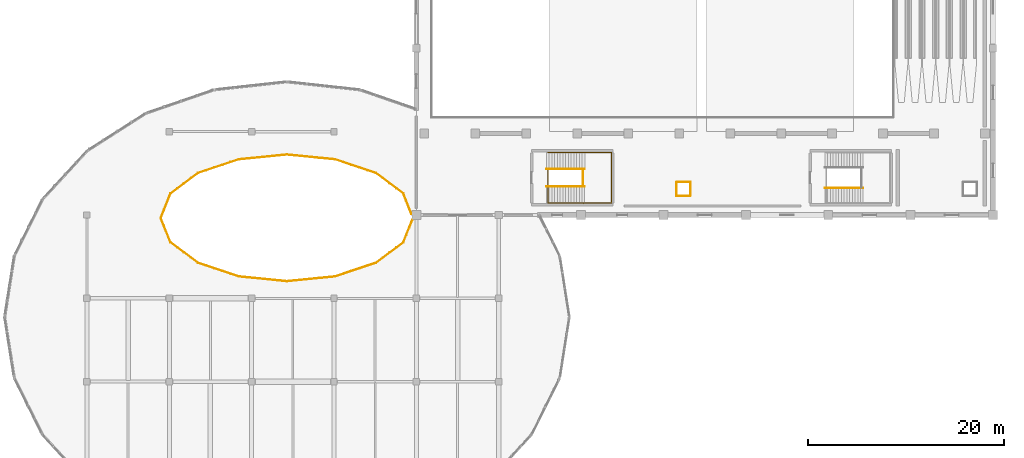
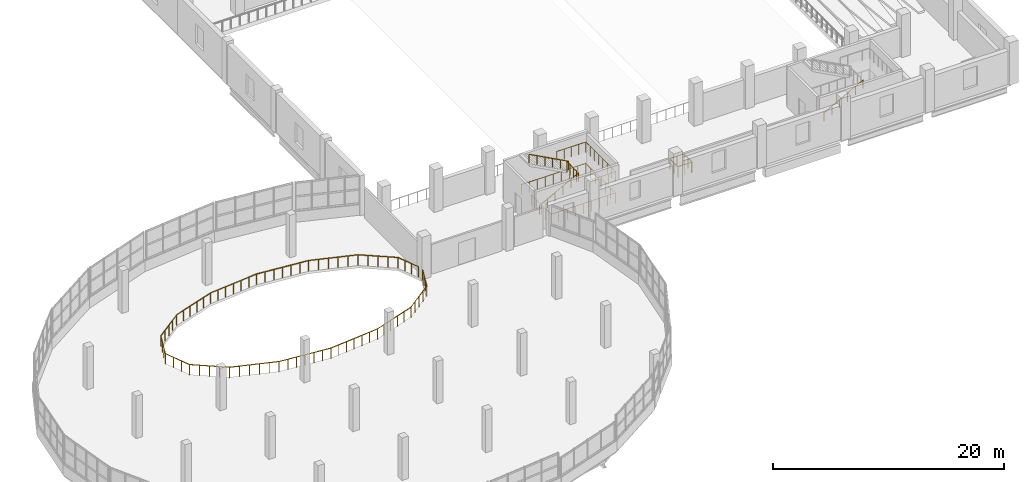
# One storey, part 45 of 50: 10 railings.
"""IFC4 building model written with IfcOpenShell, lengths in metres."""

from ifc_helpers import new_model, si_unit, direction, frame, origin, origin_2d, place, context, subcontext, project, spatial, circle, extrude, material, type_object, element, save


model = new_model("IFC4")

# Units and contexts
model_context = context("Model", 3, precision=1e-05, world=origin(), true_north=direction((0.0, 1.0)))
body_context = subcontext(model_context, "Body", "Model", "MODEL_VIEW")
ifc_project = project(units=[si_unit("LENGTHUNIT", "METRE"), si_unit("AREAUNIT", "SQUARE_METRE"), si_unit("VOLUMEUNIT", "CUBIC_METRE"), si_unit("PLANEANGLEUNIT", "RADIAN"), si_unit("MASSUNIT", "GRAM", prefix="KILO")], contexts=[model_context])

# Site, building, storey
site_placement = place(None, origin())
site = spatial("IfcSite", under=ifc_project, at=site_placement, CompositionType="ELEMENT")
building_placement = place(site_placement, origin())
building = spatial("IfcBuilding", under=site, at=building_placement, Name="Solvento Point Concert Hall", CompositionType="ELEMENT")
storey_placement = place(building_placement, frame((0.0, 0.0, 15.0)))
storey = spatial("IfcBuildingStorey", under=building, at=storey_placement, Name="L03", CompositionType="ELEMENT", Elevation=15.0)

# Railings
ifc_material_1 = material(Name="Brushed Stainless Steel Balustrade", Category="steel")
railing_type_1 = type_object("IfcRailingType", Name="StairHandrail_915", PredefinedType="HANDRAIL", material=ifc_material_1)
railing_1_placement = place(storey_placement, frame((87.64990234375, 45.409912109375, 0.14990234375)))
element("IfcRailing", 1, at=railing_1_placement, inside=storey, type_object=railing_type_1, Name="Stair handrail HR-01 ST-06 L03 F1", PredefinedType="HANDRAIL", context=body_context, shape_type="SweptSolid", body=[
    extrude(circle(Radius=0.0224609375, at=origin_2d()), frame((0.0, 0.0, 0.892578125), z_axis=(0.881479153919, 0.0, 0.472222935917), x_axis=(0.0, 1.0, 0.0)), (0.0, 0.0, 1.0), 4.447265625),
    extrude(circle(Radius=0.01904296875, at=origin_2d()), origin(), (0.0, 0.0, 1.0), 0.8701171875),
    extrude(circle(Radius=0.01904296875, at=origin_2d()), frame((0.783935546875, 0.0, 0.419921875)), (0.0, 0.0, 1.0), 0.8701171875),
    extrude(circle(Radius=0.01904296875, at=origin_2d()), frame((1.568115234375, 0.0, 0.840087890625)), (0.0, 0.0, 1.0), 0.8701171875),
    extrude(circle(Radius=0.01904296875, at=origin_2d()), frame((2.35205078125, 0.0, 1.260009765625)), (0.0, 0.0, 1.0), 0.8701171875),
    extrude(circle(Radius=0.01904296875, at=origin_2d()), frame((3.13623046875, 0.0, 1.68017578125)), (0.0, 0.0, 1.0), 0.8701171875),
    extrude(circle(Radius=0.01904296875, at=origin_2d()), frame((3.920166015625, 0.0, 2.10009765625)), (0.0, 0.0, 1.0), 0.8701171875),
])
railing_2_placement = place(storey_placement, frame((91.570068359375, 47.18994140625, 2.39990234375)))
element("IfcRailing", 2, at=railing_2_placement, inside=storey, type_object=railing_type_1, Name="Stair handrail HR-01 ST-06 L03 F2", PredefinedType="HANDRAIL", context=body_context, shape_type="SweptSolid", body=[
    extrude(circle(Radius=0.0224609375, at=origin_2d()), frame((0.0, 0.0, 0.892578125), z_axis=(-0.881479153919, 0.0, 0.472222935917), x_axis=(0.0, -1.0, 0.0)), (0.0, 0.0, 1.0), 4.447265625),
    extrude(circle(Radius=0.01904296875, at=origin_2d()), origin(), (0.0, 0.0, 1.0), 0.8701171875),
    extrude(circle(Radius=0.01904296875, at=origin_2d()), frame((-0.783935546875, 0.0, 0.419921875)), (0.0, 0.0, 1.0), 0.8701171875),
    extrude(circle(Radius=0.01904296875, at=origin_2d()), frame((-1.568115234375, 0.0, 0.840087890625)), (0.0, 0.0, 1.0), 0.8701171875),
    extrude(circle(Radius=0.01904296875, at=origin_2d()), frame((-2.35205078125, 0.0, 1.260009765625)), (0.0, 0.0, 1.0), 0.8701171875),
    extrude(circle(Radius=0.01904296875, at=origin_2d()), frame((-3.13623046875, 0.0, 1.68017578125)), (0.0, 0.0, 1.0), 0.8701171875),
    extrude(circle(Radius=0.01904296875, at=origin_2d()), frame((-3.920166015625, 0.0, 2.10009765625)), (0.0, 0.0, 1.0), 0.8701171875),
])
railing_3_placement = place(storey_placement, frame((116.050048828125, 45.25, 0.14990234375)))
element("IfcRailing", 3, at=railing_3_placement, inside=storey, type_object=railing_type_1, Name="Stair handrail HR-01 ST-07 L03 F1", PredefinedType="HANDRAIL", context=body_context, shape_type="SweptSolid", body=[
    extrude(circle(Radius=0.0224609375, at=origin_2d()), frame((0.0, 0.0, 0.892578125), z_axis=(0.881466911329, 0.0, 0.472245787945), x_axis=(0.0, 1.0, 0.0)), (0.0, 0.0, 1.0), 4.447021484375),
    extrude(circle(Radius=0.01904296875, at=origin_2d()), origin(), (0.0, 0.0, 1.0), 0.8701171875),
    extrude(circle(Radius=0.01904296875, at=origin_2d()), frame((0.783935546875, 0.0, 0.419921875)), (0.0, 0.0, 1.0), 0.8701171875),
    extrude(circle(Radius=0.01904296875, at=origin_2d()), frame((1.56787109375, 0.0, 0.840087890625)), (0.0, 0.0, 1.0), 0.8701171875),
    extrude(circle(Radius=0.01904296875, at=origin_2d()), frame((2.35205078125, 0.0, 1.260009765625)), (0.0, 0.0, 1.0), 0.8701171875),
    extrude(circle(Radius=0.01904296875, at=origin_2d()), frame((3.135986328125, 0.0, 1.68017578125)), (0.0, 0.0, 1.0), 0.8701171875),
    extrude(circle(Radius=0.01904296875, at=origin_2d()), frame((3.919921875, 0.0, 2.10009765625)), (0.0, 0.0, 1.0), 0.8701171875),
])
ifc_material_2 = material(Name="Brushed Stainless Steel Balustrade", Category="steel")
railing_type_2 = type_object("IfcRailingType", Name="StairWellGuard_1100", PredefinedType="BALUSTRADE", material=ifc_material_2)
railing_4_placement = place(storey_placement, frame((87.820068359375, 47.139892578125, 0.0)))
element("IfcRailing", 4, at=railing_4_placement, inside=storey, type_object=railing_type_2, Name="Stairwell guard GR-02 ST-06 L03", PredefinedType="BALUSTRADE", context=body_context, shape_type="SweptSolid", body=[
    extrude(circle(Radius=0.02392578125, at=origin_2d()), frame((0.0, 0.0, 1.09619140625), z_axis=(0.0, -1.0, 0.0), x_axis=(1.0, 0.0, 0.0)), (0.0, 0.0, 1.0), 3.419921875),
    extrude(circle(Radius=0.02392578125, at=origin_2d()), frame((0.0, -3.419921875, 1.09619140625), z_axis=(1.0, 0.0, 0.0), x_axis=(0.0, 1.0, 0.0)), (0.0, 0.0, 1.0), 6.4599609375),
    extrude(circle(Radius=0.02392578125, at=origin_2d()), frame((6.4599609375, -3.419921875, 1.09619140625), z_axis=(0.0, 1.0, 0.0), x_axis=(-1.0, 0.0, 0.0)), (0.0, 0.0, 1.0), 5.159912109375),
    extrude(circle(Radius=0.02392578125, at=origin_2d()), frame((6.4599609375, 1.739990234375, 1.09619140625), z_axis=(-1.0, 0.0, 0.0), x_axis=(0.0, -1.0, 0.0)), (0.0, 0.0, 1.0), 6.4599609375),
    extrude(circle(Radius=0.02392578125, at=origin_2d()), frame((0.0, 1.739990234375, 1.09619140625), z_axis=(0.0, 1.0, 0.0), x_axis=(-1.0, 0.0, 0.0)), (0.0, 0.0, 1.0), 0.02001953125),
    extrude(circle(Radius=0.02099609375, at=origin_2d()), origin(), (0.0, 0.0, 1.0), 1.072021484375),
    extrude(circle(Radius=0.02099609375, at=origin_2d()), frame((0.0, -0.85498046875, 0.0)), (0.0, 0.0, 1.0), 1.072021484375),
    extrude(circle(Radius=0.02099609375, at=origin_2d()), frame((0.0, -1.7099609375, 0.0)), (0.0, 0.0, 1.0), 1.072021484375),
    extrude(circle(Radius=0.02099609375, at=origin_2d()), frame((0.0, -2.56494140625, 0.0)), (0.0, 0.0, 1.0), 1.072021484375),
    extrude(circle(Radius=0.02099609375, at=origin_2d()), frame((0.0, -3.419921875, 0.0)), (0.0, 0.0, 1.0), 1.072021484375),
    extrude(circle(Radius=0.02099609375, at=origin_2d()), frame((0.8076171875, -3.419921875, 0.0)), (0.0, 0.0, 1.0), 1.072021484375),
    extrude(circle(Radius=0.02099609375, at=origin_2d()), frame((1.614990234375, -3.419921875, 0.0)), (0.0, 0.0, 1.0), 1.072021484375),
    extrude(circle(Radius=0.02099609375, at=origin_2d()), frame((2.42236328125, -3.419921875, 0.0)), (0.0, 0.0, 1.0), 1.072021484375),
    extrude(circle(Radius=0.02099609375, at=origin_2d()), frame((3.22998046875, -3.419921875, 0.0)), (0.0, 0.0, 1.0), 1.072021484375),
    extrude(circle(Radius=0.02099609375, at=origin_2d()), frame((4.03759765625, -3.419921875, 0.0)), (0.0, 0.0, 1.0), 1.072021484375),
    extrude(circle(Radius=0.02099609375, at=origin_2d()), frame((4.844970703125, -3.419921875, 0.0)), (0.0, 0.0, 1.0), 1.072021484375),
    extrude(circle(Radius=0.02099609375, at=origin_2d()), frame((5.65234375, -3.419921875, 0.0)), (0.0, 0.0, 1.0), 1.072021484375),
    extrude(circle(Radius=0.02099609375, at=origin_2d()), frame((6.4599609375, -3.419921875, 0.0)), (0.0, 0.0, 1.0), 1.072021484375),
    extrude(circle(Radius=0.02099609375, at=origin_2d()), frame((6.4599609375, -2.56005859375, 0.0)), (0.0, 0.0, 1.0), 1.072021484375),
    extrude(circle(Radius=0.02099609375, at=origin_2d()), frame((6.4599609375, -1.699951171875, 0.0)), (0.0, 0.0, 1.0), 1.072021484375),
    extrude(circle(Radius=0.02099609375, at=origin_2d()), frame((6.4599609375, -0.83984375, 0.0)), (0.0, 0.0, 1.0), 1.072021484375),
    extrude(circle(Radius=0.02099609375, at=origin_2d()), frame((6.4599609375, 0.02001953125, 0.0)), (0.0, 0.0, 1.0), 1.072021484375),
    extrude(circle(Radius=0.02099609375, at=origin_2d()), frame((6.4599609375, 0.8798828125, 0.0)), (0.0, 0.0, 1.0), 1.072021484375),
    extrude(circle(Radius=0.02099609375, at=origin_2d()), frame((6.4599609375, 1.739990234375, 0.0)), (0.0, 0.0, 1.0), 1.072021484375),
    extrude(circle(Radius=0.02099609375, at=origin_2d()), frame((5.65234375, 1.739990234375, 0.0)), (0.0, 0.0, 1.0), 1.072021484375),
    extrude(circle(Radius=0.02099609375, at=origin_2d()), frame((4.844970703125, 1.739990234375, 0.0)), (0.0, 0.0, 1.0), 1.072021484375),
    extrude(circle(Radius=0.02099609375, at=origin_2d()), frame((4.03759765625, 1.739990234375, 0.0)), (0.0, 0.0, 1.0), 1.072021484375),
    extrude(circle(Radius=0.02099609375, at=origin_2d()), frame((3.22998046875, 1.739990234375, 0.0)), (0.0, 0.0, 1.0), 1.072021484375),
    extrude(circle(Radius=0.02099609375, at=origin_2d()), frame((2.42236328125, 1.739990234375, 0.0)), (0.0, 0.0, 1.0), 1.072021484375),
    extrude(circle(Radius=0.02099609375, at=origin_2d()), frame((1.614990234375, 1.739990234375, 0.0)), (0.0, 0.0, 1.0), 1.072021484375),
    extrude(circle(Radius=0.02099609375, at=origin_2d()), frame((0.8076171875, 1.739990234375, 0.0)), (0.0, 0.0, 1.0), 1.072021484375),
    extrude(circle(Radius=0.02099609375, at=origin_2d()), frame((0.0, 1.739990234375, 0.0)), (0.0, 0.0, 1.0), 1.072021484375),
    extrude(circle(Radius=0.02099609375, at=origin_2d()), frame((0.0, 1.760009765625, 0.0)), (0.0, 0.0, 1.0), 1.072021484375),
])
railing_5_placement = place(storey_placement, frame((91.39990234375, 43.699951171875, 2.25)))
element("IfcRailing", 5, at=railing_5_placement, inside=storey, type_object=railing_type_2, Name="Half-landing perimeter guard GR-02 ST-06 L03", PredefinedType="BALUSTRADE", context=body_context, shape_type="SweptSolid", body=[
    extrude(circle(Radius=0.02392578125, at=origin_2d()), frame((0.0, 0.0, 1.09619140625), z_axis=(0.999976175575, 0.006902773499, 0.0), x_axis=(-0.006902773499, 0.999976175575, 0.0)), (0.0, 0.0, 1.0), 2.900146484375),
    extrude(circle(Radius=0.02392578125, at=origin_2d()), frame((2.900146484375, 0.02001953125, 1.09619140625), z_axis=(0.0, 1.0, 0.0), x_axis=(-1.0, 0.0, 0.0)), (0.0, 0.0, 1.0), 5.159912109375),
    extrude(circle(Radius=0.02392578125, at=origin_2d()), frame((2.900146484375, 5.179931640625, 1.09619140625), z_axis=(-0.999976175575, 0.006902773499, 0.0), x_axis=(-0.006902773499, -0.999976175575, 0.0)), (0.0, 0.0, 1.0), 2.900146484375),
    extrude(circle(Radius=0.02099609375, at=origin_2d()), origin(), (0.0, 0.0, 1.0), 1.072021484375),
    extrude(circle(Radius=0.02099609375, at=origin_2d()), frame((0.72509765625, 0.0048828125, 0.0)), (0.0, 0.0, 1.0), 1.072021484375),
    extrude(circle(Radius=0.02099609375, at=origin_2d()), frame((1.4501953125, 0.010009765625, 0.0)), (0.0, 0.0, 1.0), 1.072021484375),
    extrude(circle(Radius=0.02099609375, at=origin_2d()), frame((2.175048828125, 0.01513671875, 0.0)), (0.0, 0.0, 1.0), 1.072021484375),
    extrude(circle(Radius=0.02099609375, at=origin_2d()), frame((2.900146484375, 0.02001953125, 0.0)), (0.0, 0.0, 1.0), 1.072021484375),
    extrude(circle(Radius=0.02099609375, at=origin_2d()), frame((2.900146484375, 0.757080078125, 0.0)), (0.0, 0.0, 1.0), 1.072021484375),
    extrude(circle(Radius=0.02099609375, at=origin_2d()), frame((2.900146484375, 1.494384765625, 0.0)), (0.0, 0.0, 1.0), 1.072021484375),
    extrude(circle(Radius=0.02099609375, at=origin_2d()), frame((2.900146484375, 2.2314453125, 0.0)), (0.0, 0.0, 1.0), 1.072021484375),
    extrude(circle(Radius=0.02099609375, at=origin_2d()), frame((2.900146484375, 2.968505859375, 0.0)), (0.0, 0.0, 1.0), 1.072021484375),
    extrude(circle(Radius=0.02099609375, at=origin_2d()), frame((2.900146484375, 3.70556640625, 0.0)), (0.0, 0.0, 1.0), 1.072021484375),
    extrude(circle(Radius=0.02099609375, at=origin_2d()), frame((2.900146484375, 4.44287109375, 0.0)), (0.0, 0.0, 1.0), 1.072021484375),
    extrude(circle(Radius=0.02099609375, at=origin_2d()), frame((2.900146484375, 5.179931640625, 0.0)), (0.0, 0.0, 1.0), 1.072021484375),
    extrude(circle(Radius=0.02099609375, at=origin_2d()), frame((2.175048828125, 5.18505859375, 0.0)), (0.0, 0.0, 1.0), 1.072021484375),
    extrude(circle(Radius=0.02099609375, at=origin_2d()), frame((1.4501953125, 5.18994140625, 0.0)), (0.0, 0.0, 1.0), 1.072021484375),
    extrude(circle(Radius=0.02099609375, at=origin_2d()), frame((0.72509765625, 5.19482421875, 0.0)), (0.0, 0.0, 1.0), 1.072021484375),
    extrude(circle(Radius=0.02099609375, at=origin_2d()), frame((0.0, 5.199951171875, 0.0)), (0.0, 0.0, 1.0), 1.072021484375),
])
railing_6_placement = place(storey_placement, frame((91.39990234375, 45.4599609375, 2.25)))
element("IfcRailing", 6, at=railing_6_placement, inside=storey, type_object=railing_type_2, Name="Half-landing slot guard GR-02 ST-06 L03", PredefinedType="BALUSTRADE", context=body_context, shape_type="SweptSolid", body=[
    extrude(circle(Radius=0.02392578125, at=origin_2d()), frame((0.0, 0.0, 1.09619140625), z_axis=(0.0, 1.0, 0.0), x_axis=(-1.0, 0.0, 0.0)), (0.0, 0.0, 1.0), 1.679931640625),
    extrude(circle(Radius=0.02099609375, at=origin_2d()), origin(), (0.0, 0.0, 1.0), 1.072021484375),
    extrude(circle(Radius=0.02099609375, at=origin_2d()), frame((0.0, 0.56005859375, 0.0)), (0.0, 0.0, 1.0), 1.072021484375),
    extrude(circle(Radius=0.02099609375, at=origin_2d()), frame((0.0, 1.119873046875, 0.0)), (0.0, 0.0, 1.0), 1.072021484375),
    extrude(circle(Radius=0.02099609375, at=origin_2d()), frame((0.0, 1.679931640625, 0.0)), (0.0, 0.0, 1.0), 1.072021484375),
])
ifc_material_3 = material(Name="Brushed Stainless Steel Balustrade", Category="steel")
railing_type_3 = type_object("IfcRailingType", Name="TerraceBalustrade_1100", PredefinedType="BALUSTRADE", material=ifc_material_3)
railing_7_placement = place(storey_placement, frame((102.360107421875, 44.469970703125, 0.0)))
element("IfcRailing", 7, at=railing_7_placement, inside=storey, type_object=railing_type_3, Name="Guard balustrade GR-01 L03", PredefinedType="BALUSTRADE", context=body_context, shape_type="SweptSolid", body=[
    extrude(circle(Radius=0.02392578125, at=origin_2d()), frame((0.0, 0.0, 1.09619140625), z_axis=(0.0, 1.0, 0.0), x_axis=(-1.0, 0.0, 0.0)), (0.0, 0.0, 1.0), 1.39013671875),
    extrude(circle(Radius=0.02392578125, at=origin_2d()), frame((0.0, 1.39013671875, 1.09619140625), z_axis=(-1.0, 0.0, 0.0), x_axis=(0.0, -1.0, 0.0)), (0.0, 0.0, 1.0), 1.39013671875),
    extrude(circle(Radius=0.02099609375, at=origin_2d()), origin(), (0.0, 0.0, 1.0), 1.072021484375),
    extrude(circle(Radius=0.02099609375, at=origin_2d()), frame((0.0, 0.695068359375, 0.0)), (0.0, 0.0, 1.0), 1.072021484375),
    extrude(circle(Radius=0.02099609375, at=origin_2d()), frame((0.0, 1.39013671875, 0.0)), (0.0, 0.0, 1.0), 1.072021484375),
    extrude(circle(Radius=0.02099609375, at=origin_2d()), frame((-0.695068359375, 1.39013671875, 0.0)), (0.0, 0.0, 1.0), 1.072021484375),
    extrude(circle(Radius=0.02099609375, at=origin_2d()), frame((-1.39013671875, 1.39013671875, 0.0)), (0.0, 0.0, 1.0), 1.072021484375),
])
railing_8_placement = place(storey_placement, frame((100.93994140625, 45.830078125, 0.0)))
element("IfcRailing", 8, at=railing_8_placement, inside=storey, type_object=railing_type_3, Name="Guard balustrade GR-01 L03", PredefinedType="BALUSTRADE", context=body_context, shape_type="SweptSolid", body=[
    extrude(circle(Radius=0.02392578125, at=origin_2d()), frame((0.0, 0.0, 1.09619140625), z_axis=(0.0, -1.0, 0.0), x_axis=(1.0, 0.0, 0.0)), (0.0, 0.0, 1.0), 1.39013671875),
    extrude(circle(Radius=0.02392578125, at=origin_2d()), frame((0.0, -1.39013671875, 1.09619140625), z_axis=(1.0, 0.0, 0.0), x_axis=(0.0, 1.0, 0.0)), (0.0, 0.0, 1.0), 1.39013671875),
    extrude(circle(Radius=0.02099609375, at=origin_2d()), origin(), (0.0, 0.0, 1.0), 1.072021484375),
    extrude(circle(Radius=0.02099609375, at=origin_2d()), frame((0.0, -0.695068359375, 0.0)), (0.0, 0.0, 1.0), 1.072021484375),
    extrude(circle(Radius=0.02099609375, at=origin_2d()), frame((0.0, -1.39013671875, 0.0)), (0.0, 0.0, 1.0), 1.072021484375),
    extrude(circle(Radius=0.02099609375, at=origin_2d()), frame((0.695068359375, -1.39013671875, 0.0)), (0.0, 0.0, 1.0), 1.072021484375),
    extrude(circle(Radius=0.02099609375, at=origin_2d()), frame((1.39013671875, -1.39013671875, 0.0)), (0.0, 0.0, 1.0), 1.072021484375),
])
railing_9_placement = place(storey_placement, frame((56.2890625, 48.171875, 0.0)))
element("IfcRailing", 9, at=railing_9_placement, inside=storey, type_object=railing_type_3, Name="Guard balustrade GR-01 L03", PredefinedType="BALUSTRADE", context=body_context, shape_type="SweptSolid", body=[
    extrude(circle(Radius=0.02392578125, at=origin_2d()), frame((0.0, 0.0, 1.09619140625), z_axis=(-0.948466416394, -0.316877668782, 0.0), x_axis=(0.316877668782, -0.948466416394, 0.0)), (0.0, 0.0, 1.0), 4.394775390625),
    extrude(circle(Radius=0.02392578125, at=origin_2d()), frame((-4.168212890625, -1.392578125, 1.09619140625), z_axis=(-0.800662244724, -0.599115990333, 0.0), x_axis=(0.599115990333, -0.800662244724, 0.0)), (0.0, 0.0, 1.0), 3.4921875),
    extrude(circle(Radius=0.02392578125, at=origin_2d()), frame((-6.96435546875, -3.48486328125, 1.09619140625), z_axis=(-0.369597166612, -0.92919208694, 0.0), x_axis=(0.92919208694, -0.369597166612, 0.0)), (0.0, 0.0, 1.0), 2.676513671875),
    extrude(circle(Radius=0.02392578125, at=origin_2d()), frame((-7.95361328125, -5.971923828125, 1.09619140625), z_axis=(0.369597166612, -0.92919208694, 0.0), x_axis=(0.92919208694, 0.369597166612, 0.0)), (0.0, 0.0, 1.0), 2.676513671875),
    extrude(circle(Radius=0.02392578125, at=origin_2d()), frame((-6.96435546875, -8.458984375, 1.09619140625), z_axis=(0.800662244724, -0.599115990333, 0.0), x_axis=(0.599115990333, 0.800662244724, 0.0)), (0.0, 0.0, 1.0), 3.4921875),
    extrude(circle(Radius=0.02392578125, at=origin_2d()), frame((-4.168212890625, -10.55126953125, 1.09619140625), z_axis=(0.948483111882, -0.31682769209, 0.0), x_axis=(0.31682769209, 0.948483111882, 0.0)), (0.0, 0.0, 1.0), 4.39453125),
    extrude(circle(Radius=0.02392578125, at=origin_2d()), frame((0.0, -11.943603515625, 1.09619140625), z_axis=(0.995088486481, -0.098989413942, 0.0), x_axis=(0.098989413942, 0.995088486481, 0.0)), (0.0, 0.0, 1.0), 4.93505859375),
    extrude(circle(Radius=0.02392578125, at=origin_2d()), frame((4.910888671875, -12.43212890625, 1.09619140625), z_axis=(0.995088486481, 0.098989413942, 0.0), x_axis=(-0.098989413942, 0.995088486481, 0.0)), (0.0, 0.0, 1.0), 4.93505859375),
    extrude(circle(Radius=0.02392578125, at=origin_2d()), frame((9.82177734375, -11.943603515625, 1.09619140625), z_axis=(0.948488687996, 0.316810998456, 0.0), x_axis=(-0.316810998456, 0.948488687996, 0.0)), (0.0, 0.0, 1.0), 4.394775390625),
    extrude(circle(Radius=0.02392578125, at=origin_2d()), frame((13.990234375, -10.55126953125, 1.09619140625), z_axis=(0.800637149656, 0.59914952607, 0.0), x_axis=(-0.59914952607, 0.800637149656, 0.0)), (0.0, 0.0, 1.0), 3.4921875),
    extrude(circle(Radius=0.02392578125, at=origin_2d()), frame((16.7861328125, -8.458984375, 1.09619140625), z_axis=(0.369662845052, 0.929165959874, 0.0), x_axis=(-0.929165959874, 0.369662845052, 0.0)), (0.0, 0.0, 1.0), 2.46142578125),
    extrude(circle(Radius=0.02099609375, at=origin_2d()), origin(), (0.0, 0.0, 1.0), 1.072021484375),
    extrude(circle(Radius=0.02099609375, at=origin_2d()), frame((-0.833740234375, -0.278564453125, 0.0)), (0.0, 0.0, 1.0), 1.072021484375),
    extrude(circle(Radius=0.02099609375, at=origin_2d()), frame((-1.667236328125, -0.55712890625, 0.0)), (0.0, 0.0, 1.0), 1.072021484375),
    extrude(circle(Radius=0.02099609375, at=origin_2d()), frame((-2.5009765625, -0.83544921875, 0.0)), (0.0, 0.0, 1.0), 1.072021484375),
    extrude(circle(Radius=0.02099609375, at=origin_2d()), frame((-3.33447265625, -1.114013671875, 0.0)), (0.0, 0.0, 1.0), 1.072021484375),
    extrude(circle(Radius=0.02099609375, at=origin_2d()), frame((-4.168212890625, -1.392578125, 0.0)), (0.0, 0.0, 1.0), 1.072021484375),
    extrude(circle(Radius=0.02099609375, at=origin_2d()), frame((-4.8671875, -1.91552734375, 0.0)), (0.0, 0.0, 1.0), 1.072021484375),
    extrude(circle(Radius=0.02099609375, at=origin_2d()), frame((-5.56640625, -2.438720703125, 0.0)), (0.0, 0.0, 1.0), 1.072021484375),
    extrude(circle(Radius=0.02099609375, at=origin_2d()), frame((-6.265380859375, -2.9619140625, 0.0)), (0.0, 0.0, 1.0), 1.072021484375),
    extrude(circle(Radius=0.02099609375, at=origin_2d()), frame((-6.96435546875, -3.48486328125, 0.0)), (0.0, 0.0, 1.0), 1.072021484375),
    extrude(circle(Radius=0.02099609375, at=origin_2d()), frame((-7.294189453125, -4.31396484375, 0.0)), (0.0, 0.0, 1.0), 1.072021484375),
    extrude(circle(Radius=0.02099609375, at=origin_2d()), frame((-7.623779296875, -5.142822265625, 0.0)), (0.0, 0.0, 1.0), 1.072021484375),
    extrude(circle(Radius=0.02099609375, at=origin_2d()), frame((-7.95361328125, -5.971923828125, 0.0)), (0.0, 0.0, 1.0), 1.072021484375),
    extrude(circle(Radius=0.02099609375, at=origin_2d()), frame((-7.623779296875, -6.801025390625, 0.0)), (0.0, 0.0, 1.0), 1.072021484375),
    extrude(circle(Radius=0.02099609375, at=origin_2d()), frame((-7.294189453125, -7.6298828125, 0.0)), (0.0, 0.0, 1.0), 1.072021484375),
    extrude(circle(Radius=0.02099609375, at=origin_2d()), frame((-6.96435546875, -8.458984375, 0.0)), (0.0, 0.0, 1.0), 1.072021484375),
    extrude(circle(Radius=0.02099609375, at=origin_2d()), frame((-6.265380859375, -8.98193359375, 0.0)), (0.0, 0.0, 1.0), 1.072021484375),
    extrude(circle(Radius=0.02099609375, at=origin_2d()), frame((-5.56640625, -9.505126953125, 0.0)), (0.0, 0.0, 1.0), 1.072021484375),
    extrude(circle(Radius=0.02099609375, at=origin_2d()), frame((-4.8671875, -10.0283203125, 0.0)), (0.0, 0.0, 1.0), 1.072021484375),
    extrude(circle(Radius=0.02099609375, at=origin_2d()), frame((-4.168212890625, -10.55126953125, 0.0)), (0.0, 0.0, 1.0), 1.072021484375),
    extrude(circle(Radius=0.02099609375, at=origin_2d()), frame((-3.33447265625, -10.829833984375, 0.0)), (0.0, 0.0, 1.0), 1.072021484375),
    extrude(circle(Radius=0.02099609375, at=origin_2d()), frame((-2.5009765625, -11.108154296875, 0.0)), (0.0, 0.0, 1.0), 1.072021484375),
    extrude(circle(Radius=0.02099609375, at=origin_2d()), frame((-1.667236328125, -11.38671875, 0.0)), (0.0, 0.0, 1.0), 1.072021484375),
    extrude(circle(Radius=0.02099609375, at=origin_2d()), frame((-0.833740234375, -11.6650390625, 0.0)), (0.0, 0.0, 1.0), 1.072021484375),
    extrude(circle(Radius=0.02099609375, at=origin_2d()), frame((0.0, -11.943603515625, 0.0)), (0.0, 0.0, 1.0), 1.072021484375),
    extrude(circle(Radius=0.02099609375, at=origin_2d()), frame((0.818359375, -12.02490234375, 0.0)), (0.0, 0.0, 1.0), 1.072021484375),
    extrude(circle(Radius=0.02099609375, at=origin_2d()), frame((1.636962890625, -12.1064453125, 0.0)), (0.0, 0.0, 1.0), 1.072021484375),
    extrude(circle(Radius=0.02099609375, at=origin_2d()), frame((2.45556640625, -12.18798828125, 0.0)), (0.0, 0.0, 1.0), 1.072021484375),
    extrude(circle(Radius=0.02099609375, at=origin_2d()), frame((3.27392578125, -12.269287109375, 0.0)), (0.0, 0.0, 1.0), 1.072021484375),
    extrude(circle(Radius=0.02099609375, at=origin_2d()), frame((4.09228515625, -12.3505859375, 0.0)), (0.0, 0.0, 1.0), 1.072021484375),
    extrude(circle(Radius=0.02099609375, at=origin_2d()), frame((4.910888671875, -12.43212890625, 0.0)), (0.0, 0.0, 1.0), 1.072021484375),
    extrude(circle(Radius=0.02099609375, at=origin_2d()), frame((5.7294921875, -12.3505859375, 0.0)), (0.0, 0.0, 1.0), 1.072021484375),
    extrude(circle(Radius=0.02099609375, at=origin_2d()), frame((6.5478515625, -12.269287109375, 0.0)), (0.0, 0.0, 1.0), 1.072021484375),
    extrude(circle(Radius=0.02099609375, at=origin_2d()), frame((7.3662109375, -12.18798828125, 0.0)), (0.0, 0.0, 1.0), 1.072021484375),
    extrude(circle(Radius=0.02099609375, at=origin_2d()), frame((8.184814453125, -12.1064453125, 0.0)), (0.0, 0.0, 1.0), 1.072021484375),
    extrude(circle(Radius=0.02099609375, at=origin_2d()), frame((9.00341796875, -12.02490234375, 0.0)), (0.0, 0.0, 1.0), 1.072021484375),
    extrude(circle(Radius=0.02099609375, at=origin_2d()), frame((9.82177734375, -11.943603515625, 0.0)), (0.0, 0.0, 1.0), 1.072021484375),
    extrude(circle(Radius=0.02099609375, at=origin_2d()), frame((10.655517578125, -11.6650390625, 0.0)), (0.0, 0.0, 1.0), 1.072021484375),
    extrude(circle(Radius=0.02099609375, at=origin_2d()), frame((11.4892578125, -11.38671875, 0.0)), (0.0, 0.0, 1.0), 1.072021484375),
    extrude(circle(Radius=0.02099609375, at=origin_2d()), frame((12.32275390625, -11.108154296875, 0.0)), (0.0, 0.0, 1.0), 1.072021484375),
    extrude(circle(Radius=0.02099609375, at=origin_2d()), frame((13.156494140625, -10.829833984375, 0.0)), (0.0, 0.0, 1.0), 1.072021484375),
    extrude(circle(Radius=0.02099609375, at=origin_2d()), frame((13.990234375, -10.55126953125, 0.0)), (0.0, 0.0, 1.0), 1.072021484375),
    extrude(circle(Radius=0.02099609375, at=origin_2d()), frame((14.689208984375, -10.0283203125, 0.0)), (0.0, 0.0, 1.0), 1.072021484375),
    extrude(circle(Radius=0.02099609375, at=origin_2d()), frame((15.38818359375, -9.505126953125, 0.0)), (0.0, 0.0, 1.0), 1.072021484375),
    extrude(circle(Radius=0.02099609375, at=origin_2d()), frame((16.087158203125, -8.98193359375, 0.0)), (0.0, 0.0, 1.0), 1.072021484375),
    extrude(circle(Radius=0.02099609375, at=origin_2d()), frame((16.7861328125, -8.458984375, 0.0)), (0.0, 0.0, 1.0), 1.072021484375),
    extrude(circle(Radius=0.02099609375, at=origin_2d()), frame((17.08935546875, -7.696533203125, 0.0)), (0.0, 0.0, 1.0), 1.072021484375),
    extrude(circle(Radius=0.02099609375, at=origin_2d()), frame((17.392822265625, -6.934326171875, 0.0)), (0.0, 0.0, 1.0), 1.072021484375),
    extrude(circle(Radius=0.02099609375, at=origin_2d()), frame((17.696044921875, -6.171875, 0.0)), (0.0, 0.0, 1.0), 1.072021484375),
])
railing_10_placement = place(storey_placement, frame((73.89990234375, 42.61376953125, 0.0)))
element("IfcRailing", 10, at=railing_10_placement, inside=storey, type_object=railing_type_3, Name="Guard balustrade GR-01 L03", PredefinedType="BALUSTRADE", context=body_context, shape_type="SweptSolid", body=[
    extrude(circle(Radius=0.02392578125, at=origin_2d()), frame((0.0, 0.0, 1.09619140625), z_axis=(-0.369616660008, 0.929184332974, 0.0), x_axis=(-0.929184332974, -0.369616660008, 0.0)), (0.0, 0.0, 1.0), 2.231201171875),
    extrude(circle(Radius=0.02392578125, at=origin_2d()), frame((-0.82470703125, 2.0732421875, 1.09619140625), z_axis=(-0.800637149656, 0.59914952607, 0.0), x_axis=(-0.59914952607, -0.800637149656, 0.0)), (0.0, 0.0, 1.0), 3.4921875),
    extrude(circle(Radius=0.02392578125, at=origin_2d()), frame((-3.62060546875, 4.16552734375, 1.09619140625), z_axis=(-0.94847199417, 0.316860973102, 0.0), x_axis=(-0.316860973102, -0.94847199417, 0.0)), (0.0, 0.0, 1.0), 4.39501953125),
    extrude(circle(Radius=0.02392578125, at=origin_2d()), frame((-7.7890625, 5.55810546875, 1.09619140625), z_axis=(-0.995088486481, 0.098989413942, 0.0), x_axis=(-0.098989413942, -0.995088486481, 0.0)), (0.0, 0.0, 1.0), 4.93505859375),
    extrude(circle(Radius=0.02392578125, at=origin_2d()), frame((-12.699951171875, 6.046630859375, 1.09619140625), z_axis=(-0.995088486481, -0.098989413942, 0.0), x_axis=(0.098989413942, -0.995088486481, 0.0)), (0.0, 0.0, 1.0), 4.93505859375),
    extrude(circle(Radius=0.02099609375, at=origin_2d()), origin(), (0.0, 0.0, 1.0), 1.072021484375),
    extrude(circle(Radius=0.02099609375, at=origin_2d()), frame((-0.27490234375, 0.691162109375, 0.0)), (0.0, 0.0, 1.0), 1.072021484375),
    extrude(circle(Radius=0.02099609375, at=origin_2d()), frame((-0.5498046875, 1.382080078125, 0.0)), (0.0, 0.0, 1.0), 1.072021484375),
    extrude(circle(Radius=0.02099609375, at=origin_2d()), frame((-0.82470703125, 2.0732421875, 0.0)), (0.0, 0.0, 1.0), 1.072021484375),
    extrude(circle(Radius=0.02099609375, at=origin_2d()), frame((-1.523681640625, 2.59619140625, 0.0)), (0.0, 0.0, 1.0), 1.072021484375),
    extrude(circle(Radius=0.02099609375, at=origin_2d()), frame((-2.22265625, 3.119384765625, 0.0)), (0.0, 0.0, 1.0), 1.072021484375),
    extrude(circle(Radius=0.02099609375, at=origin_2d()), frame((-2.921630859375, 3.642578125, 0.0)), (0.0, 0.0, 1.0), 1.072021484375),
    extrude(circle(Radius=0.02099609375, at=origin_2d()), frame((-3.62060546875, 4.16552734375, 0.0)), (0.0, 0.0, 1.0), 1.072021484375),
    extrude(circle(Radius=0.02099609375, at=origin_2d()), frame((-4.454345703125, 4.444091796875, 0.0)), (0.0, 0.0, 1.0), 1.072021484375),
    extrude(circle(Radius=0.02099609375, at=origin_2d()), frame((-5.2880859375, 4.72265625, 0.0)), (0.0, 0.0, 1.0), 1.072021484375),
    extrude(circle(Radius=0.02099609375, at=origin_2d()), frame((-6.12158203125, 5.0009765625, 0.0)), (0.0, 0.0, 1.0), 1.072021484375),
    extrude(circle(Radius=0.02099609375, at=origin_2d()), frame((-6.955322265625, 5.279541015625, 0.0)), (0.0, 0.0, 1.0), 1.072021484375),
    extrude(circle(Radius=0.02099609375, at=origin_2d()), frame((-7.7890625, 5.55810546875, 0.0)), (0.0, 0.0, 1.0), 1.072021484375),
    extrude(circle(Radius=0.02099609375, at=origin_2d()), frame((-8.607421875, 5.6396484375, 0.0)), (0.0, 0.0, 1.0), 1.072021484375),
    extrude(circle(Radius=0.02099609375, at=origin_2d()), frame((-9.426025390625, 5.720947265625, 0.0)), (0.0, 0.0, 1.0), 1.072021484375),
    extrude(circle(Radius=0.02099609375, at=origin_2d()), frame((-10.24462890625, 5.80224609375, 0.0)), (0.0, 0.0, 1.0), 1.072021484375),
    extrude(circle(Radius=0.02099609375, at=origin_2d()), frame((-11.06298828125, 5.8837890625, 0.0)), (0.0, 0.0, 1.0), 1.072021484375),
    extrude(circle(Radius=0.02099609375, at=origin_2d()), frame((-11.88134765625, 5.96533203125, 0.0)), (0.0, 0.0, 1.0), 1.072021484375),
    extrude(circle(Radius=0.02099609375, at=origin_2d()), frame((-12.699951171875, 6.046630859375, 0.0)), (0.0, 0.0, 1.0), 1.072021484375),
    extrude(circle(Radius=0.02099609375, at=origin_2d()), frame((-13.5185546875, 5.96533203125, 0.0)), (0.0, 0.0, 1.0), 1.072021484375),
    extrude(circle(Radius=0.02099609375, at=origin_2d()), frame((-14.3369140625, 5.8837890625, 0.0)), (0.0, 0.0, 1.0), 1.072021484375),
    extrude(circle(Radius=0.02099609375, at=origin_2d()), frame((-15.1552734375, 5.80224609375, 0.0)), (0.0, 0.0, 1.0), 1.072021484375),
    extrude(circle(Radius=0.02099609375, at=origin_2d()), frame((-15.973876953125, 5.720947265625, 0.0)), (0.0, 0.0, 1.0), 1.072021484375),
    extrude(circle(Radius=0.02099609375, at=origin_2d()), frame((-16.79248046875, 5.6396484375, 0.0)), (0.0, 0.0, 1.0), 1.072021484375),
    extrude(circle(Radius=0.02099609375, at=origin_2d()), frame((-17.61083984375, 5.55810546875, 0.0)), (0.0, 0.0, 1.0), 1.072021484375),
])

save(model, "model.ifc")
